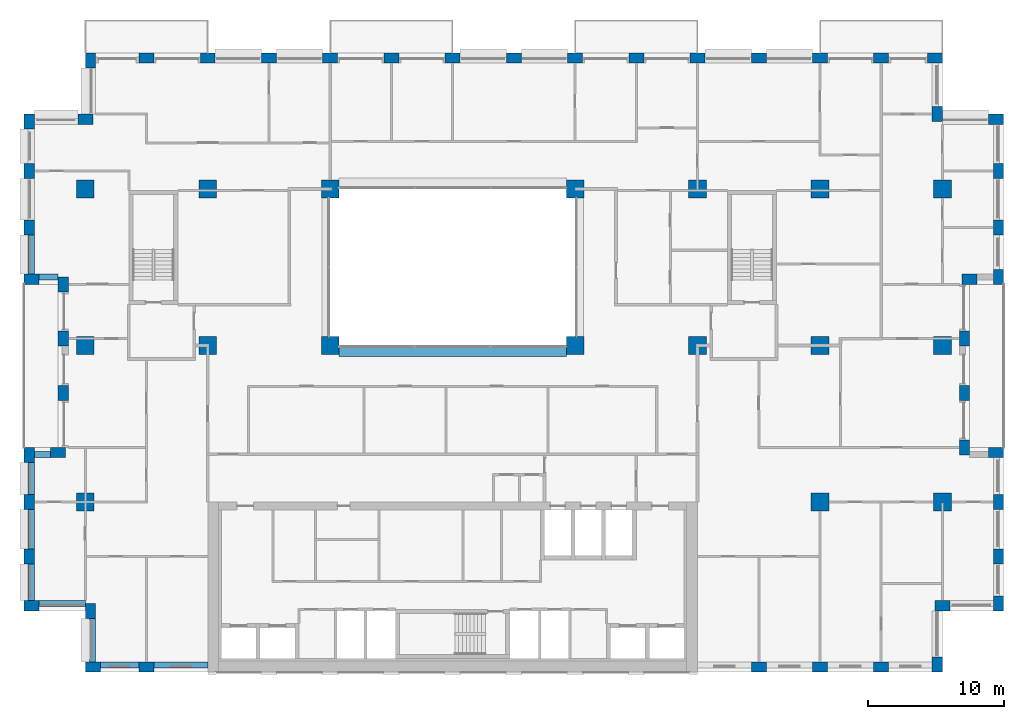
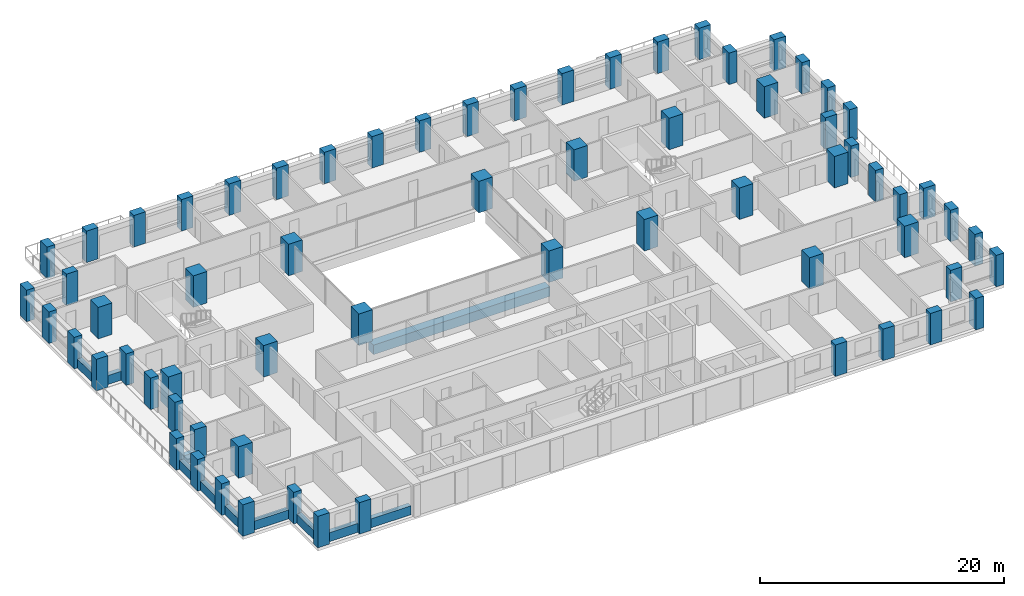
# One storey, part 1 of 17: 66 columns, 11 beams.
"""IFC4 building model written with IfcOpenShell, lengths in metres."""

from ifc_helpers import new_model, si_unit, direction, frame, origin, origin_2d, place, context, subcontext, project, spatial, rectangle, extrude, material, material_profile, profile_set, type_object, element, save


model = new_model("IFC4")

# Units and contexts
model_context = context("Model", 3, precision=1e-05, world=origin(), true_north=direction((0.0, 1.0)))
body_context = subcontext(model_context, "Body", "Model", "MODEL_VIEW")
ifc_project = project(units=[si_unit("LENGTHUNIT", "METRE"), si_unit("AREAUNIT", "SQUARE_METRE"), si_unit("VOLUMEUNIT", "CUBIC_METRE"), si_unit("PLANEANGLEUNIT", "RADIAN"), si_unit("MASSUNIT", "GRAM", prefix="KILO")], contexts=[model_context])

# Site, building, storey
site_placement = place(None, origin())
site = spatial("IfcSite", under=ifc_project, at=site_placement, CompositionType="ELEMENT")
building_placement = place(site_placement, origin())
building = spatial("IfcBuilding", under=site, at=building_placement, Name="Brigalow Station Residences", CompositionType="ELEMENT")
storey_placement = place(building_placement, frame((0.0, 0.0, 111.89990234375)))
storey = spatial("IfcBuildingStorey", under=building, at=storey_placement, Name="L32", CompositionType="ELEMENT", Elevation=111.89990234375)

# Columns
ifc_material_1 = material(Name="Concrete C65", Category="concrete")
ifc_material_profile_1 = material_profile(ifc_material_1, rectangle(XDim=1.300048828125, YDim=1.300048828125, at=origin_2d()), Name="RC1300x1300")
ifc_profile_set_1 = profile_set([ifc_material_profile_1], Name="Concrete C65")
column_type_1 = type_object("IfcColumnType", Name="COLUMN 1300x1300 C65", PredefinedType="COLUMN", material=ifc_profile_set_1)
for number, where, z_axis, x_axis, name in (
    (1, (9.0, 24.0, 0.0), (0.0, 0.0, 1.0), (1.0, 0.0, 0.0), "COLUMN C1 L32"),
    (2, (18.0, 24.0, 0.0), (0.0, 0.0, 1.0), (1.0, 0.0, 0.0), "COLUMN C2 L32"),
    (3, (27.0, 24.0, 0.0), (0.0, 0.0, 1.0), (1.0, 0.0, 0.0), "COLUMN C3 L32"),
    (4, (45.0, 24.0, 0.0), (0.0, 0.0, 1.0), (1.0, 0.0, 0.0), "COLUMN C5 L32"),
    (5, (54.0, 24.0, 0.0), (0.0, 0.0, 1.0), (1.0, 0.0, 0.0), "COLUMN C6 L32"),
    (6, (63.0, 24.0, 0.0), (0.0, 0.0, 1.0), (1.0, 0.0, 0.0), "COLUMN C7 L32"),
    (7, (72.0, 24.0, 0.0), (0.0, 0.0, 1.0), (1.0, 0.0, 0.0), "COLUMN C8 L32"),
    (8, (9.0, 35.5, 0.0), (0.0, 0.0, 1.0), (1.0, 0.0, 0.0), "COLUMN D1 L32"),
    (9, (18.0, 35.5, 0.0), (0.0, 0.0, 1.0), (1.0, 0.0, 0.0), "COLUMN D2 L32"),
    (10, (27.0, 35.5, 0.0), (0.0, 0.0, 1.0), (1.0, 0.0, 0.0), "COLUMN D3 L32"),
    (11, (45.0, 35.5, 0.0), (0.0, 0.0, 1.0), (1.0, 0.0, 0.0), "COLUMN D5 L32"),
    (12, (54.0, 35.5, 0.0), (0.0, 0.0, 1.0), (1.0, 0.0, 0.0), "COLUMN D6 L32"),
    (13, (63.0, 35.5, 0.0), (0.0, 0.0, 1.0), (1.0, 0.0, 0.0), "COLUMN D7 L32"),
    (14, (72.0, 35.5, 0.0), (0.0, 0.0, 1.0), (1.0, 0.0, 0.0), "COLUMN D8 L32"),
    (15, (9.0, 12.5, 0.0), (0.0, 0.0, 1.0), (1.0, 0.0, 0.0), "COLUMN B1 L32"),
    (16, (63.0, 12.5, 0.0), (0.0, 0.0, 1.0), (1.0, 0.0, 0.0), "COLUMN B7 L32"),
    (17, (72.0, 12.5, 0.0), (0.0, 0.0, 1.0), (1.0, 0.0, 0.0), "COLUMN B8 L32"),
):
    element("IfcColumn", number, at=place(storey_placement, frame(where, z_axis=z_axis, x_axis=x_axis)), inside=storey, type_object=column_type_1, Name=name, PredefinedType="COLUMN", context=body_context, shape_type="SweptSolid", body=[
        extrude(rectangle(XDim=1.300048828125, YDim=1.300048828125, at=origin_2d()), origin(), (0.0, 0.0, 1.0), 3.150146484375),
    ])
ifc_material_2 = material(Name="Concrete C65", Category="concrete")
ifc_material_profile_2 = material_profile(ifc_material_2, rectangle(XDim=1.10009765625, YDim=0.75, at=origin_2d()), Name="RC1100x750")
ifc_profile_set_2 = profile_set([ifc_material_profile_2], Name="Concrete C65")
column_type_2 = type_object("IfcColumnType", Name="PIER 1100x750 C65", PredefinedType="USERDEFINED", material=ifc_profile_set_2)
for number, where, z_axis, x_axis, name in (
    (18, (9.550048828125, 0.375, 0.0), (0.0, 0.0, 1.0), (1.0, 0.0, 0.0), "PIER S-1 L32"),
    (19, (13.5, 0.375, 0.0), (0.0, 0.0, 1.0), (1.0, 0.0, 0.0), "PIER S-2 L32"),
    (20, (58.5, 0.375, 0.0), (0.0, 0.0, 1.0), (1.0, 0.0, 0.0), "PIER S-12 L32"),
    (21, (63.0, 0.375, 0.0), (0.0, 0.0, 1.0), (1.0, 0.0, 0.0), "PIER S-13 L32"),
    (22, (67.5, 0.375, 0.0), (0.0, 0.0, 1.0), (1.0, 0.0, 0.0), "PIER S-14 L32"),
    (23, (71.625, 0.550048828125, 0.0), (0.0, 0.0, 1.0), (0.0, 1.0, 0.0), "PIER SE1-1 L32"),
    (24, (72.0, 4.875, 0.0), (0.0, 0.0, 1.0), (1.0, 0.0, 0.0), "PIER SE2-1 L32"),
    (25, (76.125, 5.050048828125, 0.0), (0.0, 0.0, 1.0), (0.0, 1.0, 0.0), "PIER E1-1 L32"),
    (26, (76.125, 8.5, 0.0), (0.0, 0.0, 1.0), (0.0, 1.0, 0.0), "PIER E1-2 L32"),
    (27, (76.125, 12.5, 0.0), (0.0, 0.0, 1.0), (0.0, 1.0, 0.0), "PIER E1-3 L32"),
    (28, (75.949951171875, 16.125, 0.0), (0.0, 0.0, 1.0), (-1.0, 0.0, 0.0), "PIER EL1-1 L32"),
    (29, (73.625, 16.5, 0.0), (0.0, 0.0, 1.0), (0.0, 1.0, 0.0), "PIER EL2-1 L32"),
    (30, (73.625, 20.5, 0.0), (0.0, 0.0, 1.0), (0.0, 1.0, 0.0), "PIER EL2-2 L32"),
    (31, (73.625, 24.5, 0.0), (0.0, 0.0, 1.0), (0.0, 1.0, 0.0), "PIER EL2-3 L32"),
    (32, (74.0, 28.875, 0.0), (0.0, 0.0, 1.0), (1.0, 0.0, 0.0), "PIER EL3-1 L32"),
    (33, (76.125, 29.050048828125, 0.0), (0.0, 0.0, 1.0), (0.0, 1.0, 0.0), "PIER E2-1 L32"),
    (34, (76.125, 32.6669921875, 0.0), (0.0, 0.0, 1.0), (0.0, 1.0, 0.0), "PIER E2-2 L32"),
    (35, (76.125, 36.8330078125, 0.0), (0.0, 0.0, 1.0), (0.0, 1.0, 0.0), "PIER E2-3 L32"),
    (36, (75.949951171875, 40.625, 0.0), (0.0, 0.0, 1.0), (-1.0, 0.0, 0.0), "PIER NE1-1 L32"),
    (37, (71.625, 41.0, 0.0), (0.0, 0.0, 1.0), (0.0, 1.0, 0.0), "PIER NE2-1 L32"),
    (38, (71.449951171875, 45.125, 0.0), (0.0, 0.0, 1.0), (-1.0, 0.0, 0.0), "PIER N-1 L32"),
    (39, (67.5, 45.125, 0.0), (0.0, 0.0, 1.0), (-1.0, 0.0, 0.0), "PIER N-2 L32"),
    (40, (63.0, 45.125, 0.0), (0.0, 0.0, 1.0), (-1.0, 0.0, 0.0), "PIER N-3 L32"),
    (41, (58.5, 45.125, 0.0), (0.0, 0.0, 1.0), (-1.0, 0.0, 0.0), "PIER N-4 L32"),
    (42, (54.0, 45.125, 0.0), (0.0, 0.0, 1.0), (-1.0, 0.0, 0.0), "PIER N-5 L32"),
    (43, (49.5, 45.125, 0.0), (0.0, 0.0, 1.0), (-1.0, 0.0, 0.0), "PIER N-6 L32"),
    (44, (45.0, 45.125, 0.0), (0.0, 0.0, 1.0), (-1.0, 0.0, 0.0), "PIER N-7 L32"),
    (45, (40.5, 45.125, 0.0), (0.0, 0.0, 1.0), (-1.0, 0.0, 0.0), "PIER N-8 L32"),
    (46, (36.0, 45.125, 0.0), (0.0, 0.0, 1.0), (-1.0, 0.0, 0.0), "PIER N-9 L32"),
    (47, (31.5, 45.125, 0.0), (0.0, 0.0, 1.0), (-1.0, 0.0, 0.0), "PIER N-10 L32"),
    (48, (27.0, 45.125, 0.0), (0.0, 0.0, 1.0), (-1.0, 0.0, 0.0), "PIER N-11 L32"),
    (49, (22.5, 45.125, 0.0), (0.0, 0.0, 1.0), (-1.0, 0.0, 0.0), "PIER N-12 L32"),
    (50, (18.0, 45.125, 0.0), (0.0, 0.0, 1.0), (-1.0, 0.0, 0.0), "PIER N-13 L32"),
    (51, (13.5, 45.125, 0.0), (0.0, 0.0, 1.0), (-1.0, 0.0, 0.0), "PIER N-14 L32"),
    (52, (9.375, 44.949951171875, 0.0), (0.0, 0.0, 1.0), (0.0, -1.0, 0.0), "PIER NW1-1 L32"),
    (53, (9.0, 40.625, 0.0), (0.0, 0.0, 1.0), (-1.0, 0.0, 0.0), "PIER NW2-1 L32"),
    (54, (4.875, 40.449951171875, 0.0), (0.0, 0.0, 1.0), (0.0, -1.0, 0.0), "PIER W2-1 L32"),
    (55, (4.875, 36.8330078125, 0.0), (0.0, 0.0, 1.0), (0.0, -1.0, 0.0), "PIER W2-2 L32"),
    (56, (4.875, 32.6669921875, 0.0), (0.0, 0.0, 1.0), (0.0, -1.0, 0.0), "PIER W2-3 L32"),
    (57, (5.050048828125, 28.875, 0.0), (0.0, 0.0, 1.0), (1.0, 0.0, 0.0), "PIER WL1-1 L32"),
    (58, (7.375, 28.5, 0.0), (0.0, 0.0, 1.0), (0.0, -1.0, 0.0), "PIER WL2-1 L32"),
    (59, (7.375, 24.5, 0.0), (0.0, 0.0, 1.0), (0.0, -1.0, 0.0), "PIER WL2-2 L32"),
    (60, (7.375, 20.5, 0.0), (0.0, 0.0, 1.0), (0.0, -1.0, 0.0), "PIER WL2-3 L32"),
    (61, (7.0, 16.125, 0.0), (0.0, 0.0, 1.0), (-1.0, 0.0, 0.0), "PIER WL3-1 L32"),
    (62, (4.875, 15.949951171875, 0.0), (0.0, 0.0, 1.0), (0.0, -1.0, 0.0), "PIER W1-1 L32"),
    (63, (4.875, 12.5, 0.0), (0.0, 0.0, 1.0), (0.0, -1.0, 0.0), "PIER W1-2 L32"),
    (64, (4.875, 8.5, 0.0), (0.0, 0.0, 1.0), (0.0, -1.0, 0.0), "PIER W1-3 L32"),
    (65, (5.050048828125, 4.875, 0.0), (0.0, 0.0, 1.0), (1.0, 0.0, 0.0), "PIER SW1-1 L32"),
    (66, (9.375, 4.5, 0.0), (0.0, 0.0, 1.0), (0.0, -1.0, 0.0), "PIER SW2-1 L32"),
):
    element("IfcColumn", number, at=place(storey_placement, frame(where, z_axis=z_axis, x_axis=x_axis)), inside=storey, type_object=column_type_2, Name=name, ObjectType="PIER", PredefinedType="USERDEFINED", context=body_context, shape_type="SweptSolid", body=[
        extrude(rectangle(XDim=1.10009765625, YDim=0.75, at=origin_2d()), origin(), (0.0, 0.0, 1.0), 3.150146484375),
    ])

# Beams
ifc_material_3 = material(Name="Concrete C65", Category="concrete")
ifc_material_profile_3 = material_profile(ifc_material_3, rectangle(XDim=0.800048828125, YDim=0.949951171875, at=origin_2d()), Name="RC800x950")
ifc_profile_set_3 = profile_set([ifc_material_profile_3], Name="Concrete C65")
beam_type_1 = type_object("IfcBeamType", Name="ATRIUM EDGE GIRDER OVER 13.5 M SPAN 800x950 C65", PredefinedType="BEAM", material=ifc_profile_set_3)
beam_1_placement = place(storey_placement, frame((27.64990234375, 23.60009765625, -0.794921875), z_axis=(1.0, 0.0, 0.0), x_axis=(0.0, 1.0, 0.0)))
element("IfcBeam", 67, at=beam_1_placement, inside=storey, type_object=beam_type_1, Name="ATRIUM EDGE GIRDER C L32", PredefinedType="BEAM", context=body_context, shape_type="SweptSolid", body=[
    extrude(rectangle(XDim=0.800048828125, YDim=0.949951171875, at=origin_2d()), origin(), (0.0, 0.0, 1.0), 16.7001953125),
])
ifc_material_4 = material(Name="Concrete C65", Category="concrete")
ifc_material_profile_4 = material_profile(ifc_material_4, rectangle(XDim=0.449951171875, YDim=0.89990234375, at=origin_2d()), Name="RC450x900")
ifc_profile_set_4 = profile_set([ifc_material_profile_4], Name="Concrete C65")
beam_type_2 = type_object("IfcBeamType", Name="SPANDREL BEAM 450x900 C65", PredefinedType="SPANDREL", material=ifc_profile_set_4)
beam_2_placement = place(storey_placement, frame((10.10009765625, 0.52490234375, 0.4501953125), z_axis=(1.0, 0.0, 0.0), x_axis=(0.0, 1.0, 0.0)))
element("IfcBeam", 68, at=beam_2_placement, inside=storey, type_object=beam_type_2, Name="L32/spandrel/W-L32-1", PredefinedType="SPANDREL", context=body_context, shape_type="SweptSolid", body=[
    extrude(rectangle(XDim=0.449951171875, YDim=0.89990234375, at=origin_2d()), origin(), (0.0, 0.0, 1.0), 2.849853515625),
])
beam_3_placement = place(storey_placement, frame((14.050048828125, 0.52490234375, 0.4501953125), z_axis=(1.0, 0.0, 0.0), x_axis=(0.0, 1.0, 0.0)))
element("IfcBeam", 69, at=beam_3_placement, inside=storey, type_object=beam_type_2, Name="L32/spandrel/W-L32-2", PredefinedType="SPANDREL", context=body_context, shape_type="SweptSolid", body=[
    extrude(rectangle(XDim=0.449951171875, YDim=0.89990234375, at=origin_2d()), origin(), (0.0, 0.0, 1.0), 3.949951171875),
])
beam_4_placement = place(storey_placement, frame((5.02490234375, 32.116943359375, 0.4501953125), z_axis=(0.0, -1.0, 0.0), x_axis=(1.0, 0.0, 0.0)))
element("IfcBeam", 70, at=beam_4_placement, inside=storey, type_object=beam_type_2, Name="L32/spandrel/W-L32-41", PredefinedType="SPANDREL", context=body_context, shape_type="SweptSolid", body=[
    extrude(rectangle(XDim=0.449951171875, YDim=0.89990234375, at=origin_2d()), origin(), (0.0, 0.0, 1.0), 2.866943359375),
])
beam_5_placement = place(storey_placement, frame((5.60009765625, 29.02490234375, 0.4501953125), z_axis=(1.0, 0.0, 0.0), x_axis=(0.0, 1.0, 0.0)))
element("IfcBeam", 71, at=beam_5_placement, inside=storey, type_object=beam_type_2, Name="L32/spandrel/W-L32-42", PredefinedType="SPANDREL", context=body_context, shape_type="SweptSolid", body=[
    extrude(rectangle(XDim=0.449951171875, YDim=0.89990234375, at=origin_2d()), origin(), (0.0, 0.0, 1.0), 1.39990234375),
])
beam_6_placement = place(storey_placement, frame((6.449951171875, 15.97509765625, 0.4501953125), z_axis=(-1.0, 0.0, 0.0), x_axis=(0.0, -1.0, 0.0)))
element("IfcBeam", 72, at=beam_6_placement, inside=storey, type_object=beam_type_2, Name="L32/spandrel/W-L32-46", PredefinedType="SPANDREL", context=body_context, shape_type="SweptSolid", body=[
    extrude(rectangle(XDim=0.449951171875, YDim=0.89990234375, at=origin_2d()), origin(), (0.0, 0.0, 1.0), 1.199951171875),
])
beam_7_placement = place(storey_placement, frame((5.02490234375, 15.39990234375, 0.4501953125), z_axis=(0.0, -1.0, 0.0), x_axis=(1.0, 0.0, 0.0)))
element("IfcBeam", 73, at=beam_7_placement, inside=storey, type_object=beam_type_2, Name="L32/spandrel/W-L32-47", PredefinedType="SPANDREL", context=body_context, shape_type="SweptSolid", body=[
    extrude(rectangle(XDim=0.449951171875, YDim=0.89990234375, at=origin_2d()), origin(), (0.0, 0.0, 1.0), 2.349853515625),
])
beam_8_placement = place(storey_placement, frame((5.02490234375, 11.949951171875, 0.4501953125), z_axis=(0.0, -1.0, 0.0), x_axis=(1.0, 0.0, 0.0)))
element("IfcBeam", 74, at=beam_8_placement, inside=storey, type_object=beam_type_2, Name="L32/spandrel/W-L32-48", PredefinedType="SPANDREL", context=body_context, shape_type="SweptSolid", body=[
    extrude(rectangle(XDim=0.449951171875, YDim=0.89990234375, at=origin_2d()), origin(), (0.0, 0.0, 1.0), 2.89990234375),
])
beam_9_placement = place(storey_placement, frame((5.02490234375, 7.949951171875, 0.4501953125), z_axis=(0.0, -1.0, 0.0), x_axis=(1.0, 0.0, 0.0)))
element("IfcBeam", 75, at=beam_9_placement, inside=storey, type_object=beam_type_2, Name="L32/spandrel/W-L32-49", PredefinedType="SPANDREL", context=body_context, shape_type="SweptSolid", body=[
    extrude(rectangle(XDim=0.449951171875, YDim=0.89990234375, at=origin_2d()), origin(), (0.0, 0.0, 1.0), 2.699951171875),
])
beam_10_placement = place(storey_placement, frame((5.60009765625, 5.02490234375, 0.4501953125), z_axis=(1.0, 0.0, 0.0), x_axis=(0.0, 1.0, 0.0)))
element("IfcBeam", 76, at=beam_10_placement, inside=storey, type_object=beam_type_2, Name="L32/spandrel/W-L32-50", PredefinedType="SPANDREL", context=body_context, shape_type="SweptSolid", body=[
    extrude(rectangle(XDim=0.449951171875, YDim=0.89990234375, at=origin_2d()), origin(), (0.0, 0.0, 1.0), 3.39990234375),
])
beam_11_placement = place(storey_placement, frame((9.52490234375, 3.949951171875, 0.4501953125), z_axis=(0.0, -1.0, 0.0), x_axis=(1.0, 0.0, 0.0)))
element("IfcBeam", 77, at=beam_11_placement, inside=storey, type_object=beam_type_2, Name="L32/spandrel/W-L32-51", PredefinedType="SPANDREL", context=body_context, shape_type="SweptSolid", body=[
    extrude(rectangle(XDim=0.449951171875, YDim=0.89990234375, at=origin_2d()), origin(), (0.0, 0.0, 1.0), 3.199951171875),
])

save(model, "model.ifc")
